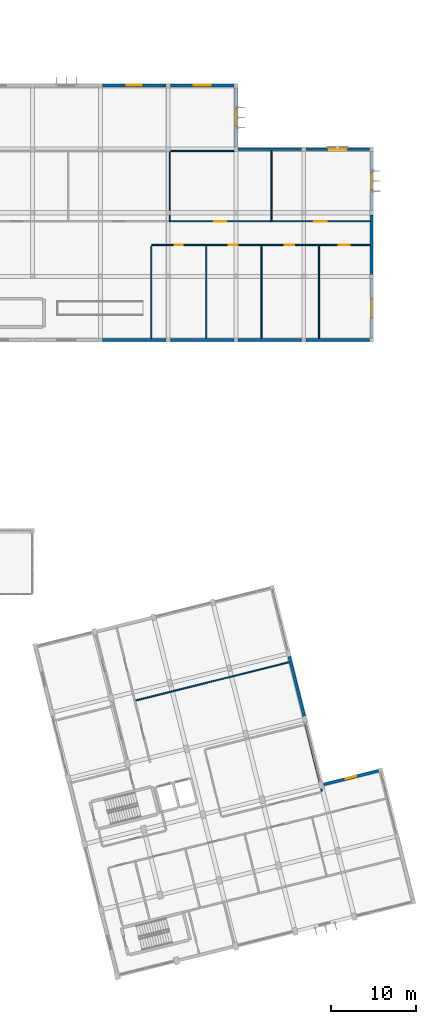
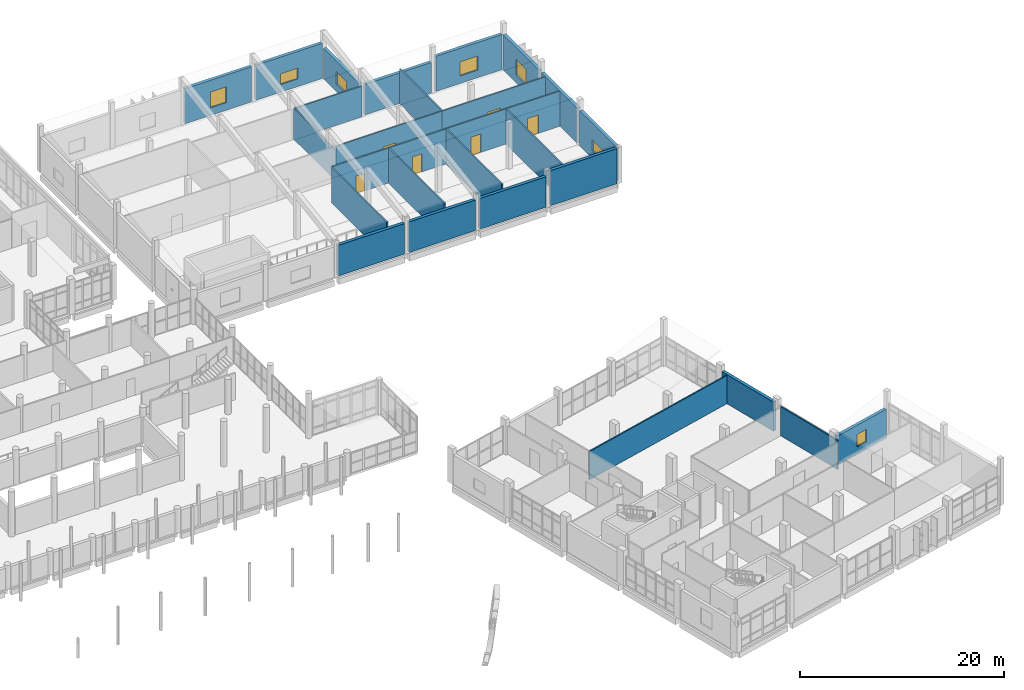
# One storey, part 149 of 164: 29 walls, 7 windows, 6 doors, 13 openings.
"""IFC4 building model written with IfcOpenShell, lengths in metres."""

from ifc_helpers import new_model, si_unit, direction, frame, frame_2d, origin, place, context, subcontext, project, spatial, rectangle, extrude, material, layer, layer_set, type_object, element, fill, save


model = new_model("IFC4")

# Units and contexts
model_context = context("Model", 3, precision=1e-05, world=origin(), true_north=direction((0.0, 1.0)))
body_context = subcontext(model_context, "Body", "Model", "MODEL_VIEW")
ifc_project = project(units=[si_unit("LENGTHUNIT", "METRE"), si_unit("AREAUNIT", "SQUARE_METRE"), si_unit("VOLUMEUNIT", "CUBIC_METRE"), si_unit("PLANEANGLEUNIT", "RADIAN"), si_unit("MASSUNIT", "GRAM", prefix="KILO")], contexts=[model_context])

# Site, building, storey
site_placement = place(None, origin())
site = spatial("IfcSite", under=ifc_project, at=site_placement, CompositionType="ELEMENT")
building_placement = place(site_placement, origin())
building = spatial("IfcBuilding", under=site, at=building_placement, Name="Mawjan Specialist Oncology Clinic", CompositionType="ELEMENT")
storey_placement = place(building_placement, frame((0.0, 0.0, 5.0)))
storey = spatial("IfcBuildingStorey", under=building, at=storey_placement, Name="L01", CompositionType="ELEMENT", Elevation=5.0)

# Wall, opening, window
ifc_material_1 = material(Name="Precast concrete C40/50", Category="concrete")
ifc_layer_1 = layer(ifc_material_1, 0.35009765625, Name="Precast concrete C40/50", Category="concrete")
ifc_layer_set_1 = layer_set([ifc_layer_1], Name="Precast concrete C40/50")
wall_type_1 = type_object("IfcWallType", Name="EW-350", PredefinedType="SOLIDWALL", material=ifc_layer_set_1)
wall_1_placement = place(storey_placement, frame((150.340576171875, 23.358642578125, 0.0), z_axis=(0.0, 0.0, 1.0), x_axis=(0.970299354279, 0.241907344009, 0.0)))
wall_1 = element("IfcWall", 1, at=wall_1_placement, inside=storey, type_object=wall_type_1, Name="L01 Coral-Limestone Exterior Wall EW-L01-073", PredefinedType="SOLIDWALL", context=body_context, shape_type="SweptSolid", body=[
    extrude(rectangle(XDim=6.675048828125, YDim=0.35009765625, at=frame_2d((3.33740234375, 0.0))), origin(), (0.0, 0.0, 1.0), 3.485107421875),
])
opening_1_placement = place(wall_1_placement, frame((2.71240234375, 0.0, 0.89990234375)))
opening_1 = element("IfcOpeningElement", 2, at=opening_1_placement, cuts=wall_1, Name="Opening WN-10", PredefinedType="OPENING", context=body_context, shape_type="SweptSolid", body=[
    extrude(rectangle(XDim=1.25, YDim=1.5, at=frame_2d((0.625, 0.75))), frame((0.0, 0.18701171875, 0.0), z_axis=(0.0, -1.0, 0.0), x_axis=(1.0, 0.0, 0.0)), (0.0, 0.0, 1.0), 0.3740234375),
])
ifc_material_2 = material(Name="Thermally broken low-E clinical aluminium window", Category="aluminium")
window_type_1 = type_object("IfcWindowType", Name="WN-10", PartitioningType="SINGLE_PANEL", PredefinedType="WINDOW", material=ifc_material_2)
window_1_placement = place(opening_1_placement, origin())
window_1 = element("IfcWindow", 3, at=window_1_placement, inside=storey, type_object=window_type_1, Name="L01 Clinical Low-E Window 010", OverallHeight=1.5, OverallWidth=1.25, PartitioningType="SINGLE_PANEL", PredefinedType="WINDOW", context=body_context, shape_type="SweptSolid", body=[
    extrude(rectangle(XDim=1.25, YDim=1.5, at=frame_2d((0.625, 0.75))), frame((0.0, 0.030029296875, 0.0), z_axis=(0.0, -1.0, 0.0), x_axis=(1.0, 0.0, 0.0)), (0.0, 0.0, 1.0), 0.06005859375),
])
fill(opening_1, window_1)

# Wall
wall_2_placement = place(storey_placement, frame((146.293701171875, 38.452880859375, 0.0), z_axis=(0.0, 0.0, 1.0), x_axis=(0.241917549853, -0.970296809782, 0.0)))
element("IfcWall", 4, at=wall_2_placement, inside=storey, type_object=wall_type_1, Name="L01 Coral-Limestone Exterior Wall EW-L01-081", PredefinedType="SOLIDWALL", context=body_context, shape_type="SweptSolid", body=[
    extrude(rectangle(XDim=7.25, YDim=0.35009765625, at=frame_2d((3.625, 0.0))), origin(), (0.0, 0.0, 1.0), 3.485107421875),
])

# Wall, opening, window
wall_3_placement = place(storey_placement, frame((124.25, 105.800048828125, 0.0), z_axis=(0.0, 0.0, 1.0), x_axis=(1.0, 0.0, 0.0)))
wall_3 = element("IfcWall", 5, at=wall_3_placement, inside=storey, type_object=wall_type_1, Name="L01 Coral-Limestone Exterior Wall EW-L01-136", PredefinedType="SOLIDWALL", context=body_context, shape_type="SweptSolid", body=[
    extrude(rectangle(XDim=7.5, YDim=0.35009765625, at=frame_2d((3.75, 0.0))), origin(), (0.0, 0.0, 1.0), 4.199951171875),
])
opening_2_placement = place(wall_3_placement, frame((2.85009765625, 0.0, 0.89990234375)))
opening_2 = element("IfcOpeningElement", 6, at=opening_2_placement, cuts=wall_3, Name="Opening WN-24", PredefinedType="OPENING", context=body_context, shape_type="SweptSolid", body=[
    extrude(rectangle(XDim=1.800048828125, YDim=1.89990234375, at=frame_2d((0.89990234375, 0.949951171875))), frame((0.0, 0.18701171875, 0.0), z_axis=(0.0, -1.0, 0.0), x_axis=(1.0, 0.0, 0.0)), (0.0, 0.0, 1.0), 0.3740234375),
])
ifc_material_3 = material(Name="Thermally broken low-E clinical aluminium window", Category="aluminium")
window_type_2 = type_object("IfcWindowType", Name="WN-24", PartitioningType="DOUBLE_PANEL_VERTICAL", PredefinedType="WINDOW", material=ifc_material_3)
window_2_placement = place(opening_2_placement, origin())
window_2 = element("IfcWindow", 7, at=window_2_placement, inside=storey, type_object=window_type_2, Name="L01 Clinical Low-E Window 024", OverallHeight=1.89990234375, OverallWidth=1.800048828125, PartitioningType="DOUBLE_PANEL_VERTICAL", PredefinedType="WINDOW", context=body_context, shape_type="SweptSolid", body=[
    extrude(rectangle(XDim=1.800048828125, YDim=1.89990234375, at=frame_2d((0.89990234375, 0.949951171875))), frame((0.0, 0.030029296875, 0.0), z_axis=(0.0, -1.0, 0.0), x_axis=(1.0, 0.0, 0.0)), (0.0, 0.0, 1.0), 0.06005859375),
])
fill(opening_2, window_2)

wall_4_placement = place(storey_placement, frame((132.25, 105.800048828125, 0.0), z_axis=(0.0, 0.0, 1.0), x_axis=(1.0, 0.0, 0.0)))
wall_4 = element("IfcWall", 8, at=wall_4_placement, inside=storey, type_object=wall_type_1, Name="L01 Coral-Limestone Exterior Wall EW-L01-137", PredefinedType="SOLIDWALL", context=body_context, shape_type="SweptSolid", body=[
    extrude(rectangle(XDim=7.5, YDim=0.35009765625, at=frame_2d((3.75, 0.0))), origin(), (0.0, 0.0, 1.0), 4.199951171875),
])
opening_3_placement = place(wall_4_placement, frame((2.75, 0.0, 0.89990234375)))
opening_3 = element("IfcOpeningElement", 9, at=opening_3_placement, cuts=wall_4, Name="Opening WN-25", PredefinedType="OPENING", context=body_context, shape_type="SweptSolid", body=[
    extrude(rectangle(XDim=2.0, YDim=1.300048828125, at=frame_2d((1.0, 0.64990234375))), frame((0.0, 0.18701171875, 0.0), z_axis=(0.0, -1.0, 0.0), x_axis=(1.0, 0.0, 0.0)), (0.0, 0.0, 1.0), 0.3740234375),
])
ifc_material_4 = material(Name="Thermally broken low-E clinical aluminium window", Category="aluminium")
window_type_3 = type_object("IfcWindowType", Name="WN-25", PartitioningType="DOUBLE_PANEL_VERTICAL", PredefinedType="WINDOW", material=ifc_material_4)
window_3_placement = place(opening_3_placement, origin())
window_3 = element("IfcWindow", 10, at=window_3_placement, inside=storey, type_object=window_type_3, Name="L01 Clinical Low-E Window 025", OverallHeight=1.300048828125, OverallWidth=2.0, PartitioningType="DOUBLE_PANEL_VERTICAL", PredefinedType="WINDOW", context=body_context, shape_type="SweptSolid", body=[
    extrude(rectangle(XDim=2.0, YDim=1.300048828125, at=frame_2d((1.0, 0.64990234375))), frame((0.0, 0.030029296875, 0.0), z_axis=(0.0, -1.0, 0.0), x_axis=(1.0, 0.0, 0.0)), (0.0, 0.0, 1.0), 0.06005859375),
])
fill(opening_3, window_3)

wall_5_placement = place(storey_placement, frame((140.0, 105.550048828125, 0.0), z_axis=(0.0, 0.0, 1.0), x_axis=(0.0, -1.0, 0.0)))
wall_5 = element("IfcWall", 11, at=wall_5_placement, inside=storey, type_object=wall_type_1, Name="L01 Coral-Limestone Exterior Wall EW-L01-138", PredefinedType="SOLIDWALL", context=body_context, shape_type="SweptSolid", body=[
    extrude(rectangle(XDim=7.0, YDim=0.35009765625, at=frame_2d((3.5, 0.0))), origin(), (0.0, 0.0, 1.0), 3.655029296875),
])
opening_4_placement = place(wall_5_placement, frame((2.5, 0.0, 0.89990234375)))
opening_4 = element("IfcOpeningElement", 12, at=opening_4_placement, cuts=wall_5, Name="Opening WN-26", PredefinedType="OPENING", context=body_context, shape_type="SweptSolid", body=[
    extrude(rectangle(XDim=2.0, YDim=1.5, at=frame_2d((1.0, 0.75))), frame((0.0, 0.18701171875, 0.0), z_axis=(0.0, -1.0, 0.0), x_axis=(1.0, 0.0, 0.0)), (0.0, 0.0, 1.0), 0.3740234375),
])
ifc_material_5 = material(Name="Thermally broken low-E clinical aluminium window", Category="aluminium")
window_type_4 = type_object("IfcWindowType", Name="WN-26", PartitioningType="DOUBLE_PANEL_VERTICAL", PredefinedType="WINDOW", material=ifc_material_5)
window_4_placement = place(opening_4_placement, origin())
window_4 = element("IfcWindow", 13, at=window_4_placement, inside=storey, type_object=window_type_4, Name="L01 Clinical Low-E Window 026", OverallHeight=1.5, OverallWidth=2.0, PartitioningType="DOUBLE_PANEL_VERTICAL", PredefinedType="WINDOW", context=body_context, shape_type="SweptSolid", body=[
    extrude(rectangle(XDim=2.0, YDim=1.5, at=frame_2d((1.0, 0.75))), frame((0.0, 0.030029296875, 0.0), z_axis=(0.0, -1.0, 0.0), x_axis=(1.0, 0.0, 0.0)), (0.0, 0.0, 1.0), 0.06005859375),
])
fill(opening_4, window_4)

# Wall
wall_6_placement = place(storey_placement, frame((140.25, 98.300048828125, 0.0), z_axis=(0.0, 0.0, 1.0), x_axis=(1.0, 0.0, 0.0)))
element("IfcWall", 14, at=wall_6_placement, inside=storey, type_object=wall_type_1, Name="L01 Coral-Limestone Exterior Wall EW-L01-139", PredefinedType="SOLIDWALL", context=body_context, shape_type="SweptSolid", body=[
    extrude(rectangle(XDim=7.5, YDim=0.35009765625, at=frame_2d((3.75, 0.0))), origin(), (0.0, 0.0, 1.0), 3.655029296875),
])

# Wall, opening, window
wall_7_placement = place(storey_placement, frame((148.25, 98.300048828125, 0.0), z_axis=(0.0, 0.0, 1.0), x_axis=(1.0, 0.0, 0.0)))
wall_7 = element("IfcWall", 15, at=wall_7_placement, inside=storey, type_object=wall_type_1, Name="L01 Coral-Limestone Exterior Wall EW-L01-140", PredefinedType="SOLIDWALL", context=body_context, shape_type="SweptSolid", body=[
    extrude(rectangle(XDim=7.5, YDim=0.35009765625, at=frame_2d((3.75, 0.0))), origin(), (0.0, 0.0, 1.0), 4.199951171875),
])
opening_5_placement = place(wall_7_placement, frame((2.75, 0.0, 0.89990234375)))
opening_5 = element("IfcOpeningElement", 16, at=opening_5_placement, cuts=wall_7, Name="Opening WN-27", PredefinedType="OPENING", context=body_context, shape_type="SweptSolid", body=[
    extrude(rectangle(XDim=2.0, YDim=1.699951171875, at=frame_2d((1.0, 0.85009765625))), frame((0.0, 0.18701171875, 0.0), z_axis=(0.0, -1.0, 0.0), x_axis=(1.0, 0.0, 0.0)), (0.0, 0.0, 1.0), 0.3740234375),
])
ifc_material_6 = material(Name="Thermally broken low-E clinical aluminium window", Category="aluminium")
window_type_5 = type_object("IfcWindowType", Name="WN-27", PartitioningType="DOUBLE_PANEL_VERTICAL", PredefinedType="WINDOW", material=ifc_material_6)
window_5_placement = place(opening_5_placement, origin())
window_5 = element("IfcWindow", 17, at=window_5_placement, inside=storey, type_object=window_type_5, Name="L01 Clinical Low-E Window 027", OverallHeight=1.699951171875, OverallWidth=2.0, PartitioningType="DOUBLE_PANEL_VERTICAL", PredefinedType="WINDOW", context=body_context, shape_type="SweptSolid", body=[
    extrude(rectangle(XDim=2.0, YDim=1.699951171875, at=frame_2d((1.0, 0.85009765625))), frame((0.0, 0.030029296875, 0.0), z_axis=(0.0, -1.0, 0.0), x_axis=(1.0, 0.0, 0.0)), (0.0, 0.0, 1.0), 0.06005859375),
])
fill(opening_5, window_5)

wall_8_placement = place(storey_placement, frame((156.0, 98.050048828125, 0.0), z_axis=(0.0, 0.0, 1.0), x_axis=(0.0, -1.0, 0.0)))
wall_8 = element("IfcWall", 18, at=wall_8_placement, inside=storey, type_object=wall_type_1, Name="L01 Coral-Limestone Exterior Wall EW-L01-141", PredefinedType="SOLIDWALL", context=body_context, shape_type="SweptSolid", body=[
    extrude(rectangle(XDim=7.0, YDim=0.35009765625, at=frame_2d((3.5, 0.0))), origin(), (0.0, 0.0, 1.0), 4.199951171875),
])
opening_6_placement = place(wall_8_placement, frame((2.5, 0.0, 0.89990234375)))
opening_6 = element("IfcOpeningElement", 19, at=opening_6_placement, cuts=wall_8, Name="Opening WN-28", PredefinedType="OPENING", context=body_context, shape_type="SweptSolid", body=[
    extrude(rectangle(XDim=2.0, YDim=1.89990234375, at=frame_2d((1.0, 0.949951171875))), frame((0.0, 0.18701171875, 0.0), z_axis=(0.0, -1.0, 0.0), x_axis=(1.0, 0.0, 0.0)), (0.0, 0.0, 1.0), 0.3740234375),
])
ifc_material_7 = material(Name="Thermally broken low-E clinical aluminium window", Category="aluminium")
window_type_6 = type_object("IfcWindowType", Name="WN-28", PartitioningType="DOUBLE_PANEL_VERTICAL", PredefinedType="WINDOW", material=ifc_material_7)
window_6_placement = place(opening_6_placement, origin())
window_6 = element("IfcWindow", 20, at=window_6_placement, inside=storey, type_object=window_type_6, Name="L01 Clinical Low-E Window 028", OverallHeight=1.89990234375, OverallWidth=2.0, PartitioningType="DOUBLE_PANEL_VERTICAL", PredefinedType="WINDOW", context=body_context, shape_type="SweptSolid", body=[
    extrude(rectangle(XDim=2.0, YDim=1.89990234375, at=frame_2d((1.0, 0.949951171875))), frame((0.0, 0.030029296875, 0.0), z_axis=(0.0, -1.0, 0.0), x_axis=(1.0, 0.0, 0.0)), (0.0, 0.0, 1.0), 0.06005859375),
])
fill(opening_6, window_6)

# Wall
wall_9_placement = place(storey_placement, frame((156.0, 90.550048828125, 0.0), z_axis=(0.0, 0.0, 1.0), x_axis=(0.0, -1.0, 0.0)))
element("IfcWall", 21, at=wall_9_placement, inside=storey, type_object=wall_type_1, Name="L01 Coral-Limestone Exterior Wall EW-L01-142", PredefinedType="SOLIDWALL", context=body_context, shape_type="SweptSolid", body=[
    extrude(rectangle(XDim=7.0, YDim=0.35009765625, at=frame_2d((3.5, 0.0))), origin(), (0.0, 0.0, 1.0), 4.199951171875),
])

# Wall, opening, window
wall_10_placement = place(storey_placement, frame((156.0, 83.050048828125, 0.0), z_axis=(0.0, 0.0, 1.0), x_axis=(0.0, -1.0, 0.0)))
wall_10 = element("IfcWall", 22, at=wall_10_placement, inside=storey, type_object=wall_type_1, Name="L01 Coral-Limestone Exterior Wall EW-L01-143", PredefinedType="SOLIDWALL", context=body_context, shape_type="SweptSolid", body=[
    extrude(rectangle(XDim=7.0, YDim=0.35009765625, at=frame_2d((3.5, 0.0))), origin(), (0.0, 0.0, 1.0), 4.199951171875),
])
opening_7_placement = place(wall_10_placement, frame((2.39990234375, 0.0, 0.89990234375)))
opening_7 = element("IfcOpeningElement", 23, at=opening_7_placement, cuts=wall_10, Name="Opening WN-29", PredefinedType="OPENING", context=body_context, shape_type="SweptSolid", body=[
    extrude(rectangle(XDim=2.199951171875, YDim=1.300048828125, at=frame_2d((1.10009765625, 0.64990234375))), frame((0.0, 0.18701171875, 0.0), z_axis=(0.0, -1.0, 0.0), x_axis=(1.0, 0.0, 0.0)), (0.0, 0.0, 1.0), 0.3740234375),
])
ifc_material_8 = material(Name="Thermally broken low-E clinical aluminium window", Category="aluminium")
window_type_7 = type_object("IfcWindowType", Name="WN-29", PartitioningType="DOUBLE_PANEL_VERTICAL", PredefinedType="WINDOW", material=ifc_material_8)
window_7_placement = place(opening_7_placement, origin())
window_7 = element("IfcWindow", 24, at=window_7_placement, inside=storey, type_object=window_type_7, Name="L01 Clinical Low-E Window 029", OverallHeight=1.300048828125, OverallWidth=2.199951171875, PartitioningType="DOUBLE_PANEL_VERTICAL", PredefinedType="WINDOW", context=body_context, shape_type="SweptSolid", body=[
    extrude(rectangle(XDim=2.199951171875, YDim=1.300048828125, at=frame_2d((1.10009765625, 0.64990234375))), frame((0.0, 0.030029296875, 0.0), z_axis=(0.0, -1.0, 0.0), x_axis=(1.0, 0.0, 0.0)), (0.0, 0.0, 1.0), 0.06005859375),
])
fill(opening_7, window_7)

# Walls
wall_11_placement = place(storey_placement, frame((155.75, 75.800048828125, 0.0), z_axis=(0.0, 0.0, 1.0), x_axis=(-1.0, 0.0, 0.0)))
element("IfcWall", 25, at=wall_11_placement, inside=storey, type_object=wall_type_1, Name="L01 Coral-Limestone Exterior Wall EW-L01-144", PredefinedType="SOLIDWALL", context=body_context, shape_type="SweptSolid", body=[
    extrude(rectangle(XDim=7.5, YDim=0.35009765625, at=frame_2d((3.75, 0.0))), origin(), (0.0, 0.0, 1.0), 4.199951171875),
])
for number, where, z_axis, x_axis, name in (
    (26, (147.75, 75.800048828125, 0.0), (0.0, 0.0, 1.0), (-1.0, 0.0, 0.0), "L01 Coral-Limestone Exterior Wall EW-L01-145"),
    (27, (139.75, 75.800048828125, 0.0), (0.0, 0.0, 1.0), (-1.0, 0.0, 0.0), "L01 Coral-Limestone Exterior Wall EW-L01-146"),
    (28, (131.75, 75.800048828125, 0.0), (0.0, 0.0, 1.0), (-1.0, 0.0, 0.0), "L01 Coral-Limestone Exterior Wall EW-L01-147"),
):
    element("IfcWall", number, at=place(storey_placement, frame(where, z_axis=z_axis, x_axis=x_axis)), inside=storey, type_object=wall_type_1, Name=name, PredefinedType="SOLIDWALL", context=body_context, shape_type="SweptSolid", body=[
        extrude(rectangle(XDim=7.5, YDim=0.35009765625, at=frame_2d((3.75, 0.0))), origin(), (0.0, 0.0, 1.0), 3.655029296875),
    ])
ifc_material_9 = material(Name="Moisture-resistant washroom partition", Category="gypsum")
ifc_layer_2 = layer(ifc_material_9, 0.125, Name="Moisture-resistant washroom partition", Category="gypsum")
ifc_layer_set_2 = layer_set([ifc_layer_2], Name="Moisture-resistant washroom partition")
wall_type_2 = type_object("IfcWallType", Name="WP-125", PredefinedType="PARTITIONING", material=ifc_layer_set_2)
wall_12_placement = place(storey_placement, frame((132.199951171875, 89.886962890625, 0.0), z_axis=(0.0, 0.0, 1.0), x_axis=(0.0, 1.0, 0.0)))
element("IfcWall", 29, at=wall_12_placement, inside=storey, type_object=wall_type_2, Name="L01 Interior Partition W-INT-L01-I16-D", PredefinedType="PARTITIONING", context=body_context, shape_type="SweptSolid", body=[
    extrude(rectangle(XDim=8.151123046875, YDim=0.125, at=frame_2d((4.07568359375, 0.0))), origin(), (0.0, 0.0, 1.0), 3.655029296875),
])

# Wall, opening, door
ifc_material_10 = material(Name="Acoustic gypsum clinical partition", Category="gypsum")
ifc_layer_3 = layer(ifc_material_10, 0.14990234375, Name="Acoustic gypsum clinical partition", Category="gypsum")
ifc_layer_set_3 = layer_set([ifc_layer_3], Name="Acoustic gypsum clinical partition")
wall_type_3 = type_object("IfcWallType", Name="WP-150", PredefinedType="PARTITIONING", material=ifc_layer_set_3)
wall_13_placement = place(storey_placement, frame((142.927001953125, 87.0, 0.0), z_axis=(0.0, 0.0, 1.0), x_axis=(1.0, 0.0, 0.0)))
wall_13 = element("IfcWall", 30, at=wall_13_placement, inside=storey, type_object=wall_type_3, Name="L01 Interior Partition W-INT-L01-I13-C", PredefinedType="PARTITIONING", context=body_context, shape_type="SweptSolid", body=[
    extrude(rectangle(XDim=6.7880859375, YDim=0.14990234375, at=frame_2d((3.39404296875, 0.0))), origin(), (0.0, 0.0, 1.0), 4.199951171875),
])
opening_8_placement = place(wall_13_placement, frame((2.833984375, 0.0, 0.0)))
opening_8 = element("IfcOpeningElement", 31, at=opening_8_placement, cuts=wall_13, Name="Opening DI-112", PredefinedType="OPENING", context=body_context, shape_type="SweptSolid", body=[
    extrude(rectangle(XDim=1.1201171875, YDim=2.199951171875, at=frame_2d((0.56005859375, 1.10009765625))), frame((0.0, 0.0869140625, 0.0), z_axis=(0.0, -1.0, 0.0), x_axis=(1.0, 0.0, 0.0)), (0.0, 0.0, 1.0), 0.173828125),
])
ifc_material_11 = material(Name="Acoustic laminate hospital door leaf", Category="wood")
door_type_1 = type_object("IfcDoorType", Name="DI-112", OperationType="NOTDEFINED", PredefinedType="DOOR", material=ifc_material_11)
door_1_placement = place(opening_8_placement, origin())
door_1 = element("IfcDoor", 32, at=door_1_placement, inside=storey, type_object=door_type_1, Name="L01 Stereotactic Biopsy Treatment Room Door", OperationType="SINGLE_SWING_LEFT", OverallHeight=2.199951171875, OverallWidth=1.1201171875, PredefinedType="DOOR", context=body_context, shape_type="SweptSolid", body=[
    extrude(rectangle(XDim=1.1201171875, YDim=2.199951171875, at=frame_2d((0.56005859375, 1.10009765625))), frame((0.0, 0.02490234375, 0.0), z_axis=(0.0, -1.0, 0.0), x_axis=(1.0, 0.0, 0.0)), (0.0, 0.0, 1.0), 0.050048828125),
])
fill(opening_8, door_1)

wall_14_placement = place(storey_placement, frame((149.72705078125, 87.0, 0.0), z_axis=(0.0, 0.0, 1.0), x_axis=(1.0, 0.0, 0.0)))
wall_14 = element("IfcWall", 33, at=wall_14_placement, inside=storey, type_object=wall_type_3, Name="L01 Interior Partition W-INT-L01-I14-C", PredefinedType="PARTITIONING", context=body_context, shape_type="SweptSolid", body=[
    extrude(rectangle(XDim=6.0859375, YDim=0.14990234375, at=frame_2d((3.04296875, 0.0))), origin(), (0.0, 0.0, 1.0), 4.199951171875),
])
opening_9_placement = place(wall_14_placement, frame((2.423095703125, 0.0, 0.0)))
opening_9 = element("IfcOpeningElement", 34, at=opening_9_placement, cuts=wall_14, Name="Opening DC-124", PredefinedType="OPENING", context=body_context, shape_type="SweptSolid", body=[
    extrude(rectangle(XDim=1.239990234375, YDim=2.199951171875, at=frame_2d((0.6201171875, 1.10009765625))), frame((0.0, 0.0869140625, 0.0), z_axis=(0.0, -1.0, 0.0), x_axis=(1.0, 0.0, 0.0)), (0.0, 0.0, 1.0), 0.173828125),
])
ifc_material_12 = material(Name="Acoustic laminate hospital door leaf", Category="wood")
door_type_2 = type_object("IfcDoorType", Name="DC-124", OperationType="NOTDEFINED", PredefinedType="DOOR", material=ifc_material_12)
door_2_placement = place(opening_9_placement, origin())
door_2 = element("IfcDoor", 35, at=door_2_placement, inside=storey, type_object=door_type_2, Name="L01 Accessible Patient Washroom Door", OperationType="SINGLE_SWING_RIGHT", OverallHeight=2.199951171875, OverallWidth=1.239990234375, PredefinedType="DOOR", context=body_context, shape_type="SweptSolid", body=[
    extrude(rectangle(XDim=1.239990234375, YDim=2.199951171875, at=frame_2d((0.6201171875, 1.10009765625))), frame((0.0, 0.02490234375, 0.0), z_axis=(0.0, -1.0, 0.0), x_axis=(1.0, 0.0, 0.0)), (0.0, 0.0, 1.0), 0.050048828125),
])
fill(opening_9, door_2)

wall_15_placement = place(storey_placement, frame((132.126953125, 89.800048828125, 0.0), z_axis=(0.0, 0.0, 1.0), x_axis=(1.0, 0.0, 0.0)))
wall_15 = element("IfcWall", 36, at=wall_15_placement, inside=storey, type_object=wall_type_3, Name="L01 Interior Partition W-INT-L01-I17-C", PredefinedType="PARTITIONING", context=body_context, shape_type="SweptSolid", body=[
    extrude(rectangle(XDim=11.988037109375, YDim=0.14990234375, at=frame_2d((5.994140625, 0.0))), origin(), (0.0, 0.0, 1.0), 4.199951171875),
])
opening_10_placement = place(wall_15_placement, frame((5.2939453125, 0.0, 0.0)))
opening_10 = element("IfcOpeningElement", 37, at=opening_10_placement, cuts=wall_15, Name="Opening DC-140", PredefinedType="OPENING", context=body_context, shape_type="SweptSolid", body=[
    extrude(rectangle(XDim=1.39990234375, YDim=2.25, at=frame_2d((0.699951171875, 1.125))), frame((0.0, 0.0869140625, 0.0), z_axis=(0.0, -1.0, 0.0), x_axis=(1.0, 0.0, 0.0)), (0.0, 0.0, 1.0), 0.173828125),
])
ifc_material_13 = material(Name="Acoustic laminate hospital door leaf", Category="wood")
door_type_3 = type_object("IfcDoorType", Name="DC-140", OperationType="NOTDEFINED", PredefinedType="DOOR", material=ifc_material_13)
door_3_placement = place(opening_10_placement, origin())
door_3 = element("IfcDoor", 38, at=door_3_placement, inside=storey, type_object=door_type_3, Name="L01 Interventional Imaging Recovery Bay Door", OperationType="SINGLE_SWING_LEFT", OverallHeight=2.25, OverallWidth=1.39990234375, PredefinedType="DOOR", context=body_context, shape_type="SweptSolid", body=[
    extrude(rectangle(XDim=1.39990234375, YDim=2.25, at=frame_2d((0.699951171875, 1.125))), frame((0.0, 0.02490234375, 0.0), z_axis=(0.0, -1.0, 0.0), x_axis=(1.0, 0.0, 0.0)), (0.0, 0.0, 1.0), 0.050048828125),
])
fill(opening_10, door_3)

wall_16_placement = place(storey_placement, frame((144.126953125, 89.800048828125, 0.0), z_axis=(0.0, 0.0, 1.0), x_axis=(1.0, 0.0, 0.0)))
wall_16 = element("IfcWall", 39, at=wall_16_placement, inside=storey, type_object=wall_type_3, Name="L01 Interior Partition W-INT-L01-I18-C", PredefinedType="PARTITIONING", context=body_context, shape_type="SweptSolid", body=[
    extrude(rectangle(XDim=11.68603515625, YDim=0.14990234375, at=frame_2d((5.843017578125, 0.0))), origin(), (0.0, 0.0, 1.0), 4.199951171875),
])
opening_11_placement = place(wall_16_placement, frame((5.117919921875, 0.0, 0.0)))
opening_11 = element("IfcOpeningElement", 40, at=opening_11_placement, cuts=wall_16, Name="Opening DC-145", PredefinedType="OPENING", context=body_context, shape_type="SweptSolid", body=[
    extrude(rectangle(XDim=1.449951171875, YDim=2.260009765625, at=frame_2d((0.72509765625, 1.1298828125))), frame((0.0, 0.0869140625, 0.0), z_axis=(0.0, -1.0, 0.0), x_axis=(1.0, 0.0, 0.0)), (0.0, 0.0, 1.0), 0.173828125),
])
ifc_material_14 = material(Name="Acoustic laminate hospital door leaf", Category="wood")
door_type_4 = type_object("IfcDoorType", Name="DC-145", OperationType="NOTDEFINED", PredefinedType="DOOR", material=ifc_material_14)
door_4_placement = place(opening_11_placement, origin())
door_4 = element("IfcDoor", 41, at=door_4_placement, inside=storey, type_object=door_type_4, Name="L01 Imaging Sub-Waiting Lounge Door", OperationType="SINGLE_SWING_RIGHT", OverallHeight=2.260009765625, OverallWidth=1.449951171875, PredefinedType="DOOR", context=body_context, shape_type="SweptSolid", body=[
    extrude(rectangle(XDim=1.449951171875, YDim=2.260009765625, at=frame_2d((0.72509765625, 1.1298828125))), frame((0.0, 0.02490234375, 0.0), z_axis=(0.0, -1.0, 0.0), x_axis=(1.0, 0.0, 0.0)), (0.0, 0.0, 1.0), 0.050048828125),
])
fill(opening_11, door_4)

# Walls
wall_17_placement = place(storey_placement, frame((130.0, 75.987060546875, 0.0), z_axis=(0.0, 0.0, 1.0), x_axis=(0.0, 1.0, 0.0)))
element("IfcWall", 42, at=wall_17_placement, inside=storey, type_object=wall_type_3, Name="L01 Interior Partition W-INT-L01-I11-D0", PredefinedType="PARTITIONING", context=body_context, shape_type="SweptSolid", body=[
    extrude(rectangle(XDim=10.847900390625, YDim=0.14990234375, at=frame_2d((5.423828125, 0.0))), origin(), (0.0, 0.0, 1.0), 4.199951171875),
])
wall_18_placement = place(storey_placement, frame((136.5, 75.987060546875, 0.0), z_axis=(0.0, 0.0, 1.0), x_axis=(0.0, 1.0, 0.0)))
element("IfcWall", 43, at=wall_18_placement, inside=storey, type_object=wall_type_3, Name="L01 Interior Partition W-INT-L01-I11-D", PredefinedType="PARTITIONING", context=body_context, shape_type="SweptSolid", body=[
    extrude(rectangle(XDim=10.9208984375, YDim=0.14990234375, at=frame_2d((5.46044921875, 0.0))), origin(), (0.0, 0.0, 1.0), 4.199951171875),
])
wall_19_placement = place(storey_placement, frame((143.0, 75.987060546875, 0.0), z_axis=(0.0, 0.0, 1.0), x_axis=(0.0, 1.0, 0.0)))
element("IfcWall", 44, at=wall_19_placement, inside=storey, type_object=wall_type_3, Name="L01 Interior Partition W-INT-L01-I12-D", PredefinedType="PARTITIONING", context=body_context, shape_type="SweptSolid", body=[
    extrude(rectangle(XDim=10.926025390625, YDim=0.14990234375, at=frame_2d((5.462890625, 0.0))), origin(), (0.0, 0.0, 1.0), 4.199951171875),
])
wall_20_placement = place(storey_placement, frame((144.199951171875, 89.886962890625, 0.0), z_axis=(0.0, 0.0, 1.0), x_axis=(0.0, 1.0, 0.0)))
element("IfcWall", 45, at=wall_20_placement, inside=storey, type_object=wall_type_3, Name="L01 Interior Partition W-INT-L01-I17-D", PredefinedType="PARTITIONING", context=body_context, shape_type="SweptSolid", body=[
    extrude(rectangle(XDim=8.22607421875, YDim=0.14990234375, at=frame_2d((4.113037109375, 0.0))), origin(), (0.0, 0.0, 1.0), 4.199951171875),
])
wall_21_placement = place(storey_placement, frame((150.13037109375, 22.5693359375, 0.0), z_axis=(0.0, 0.0, 1.0), x_axis=(-0.241919812841, 0.970296245564, 0.0)))
element("IfcWall", 46, at=wall_21_placement, inside=storey, type_object=wall_type_3, Name="L01 Interior Partition W-RINT-L01-RDE1-E", PredefinedType="PARTITIONING", context=body_context, shape_type="SweptSolid", body=[
    extrude(rectangle(XDim=8.02294921875, YDim=0.14990234375, at=frame_2d((4.011474609375, 0.0))), origin(), (0.0, 0.0, 1.0), 3.485107421875),
])
wall_22_placement = place(storey_placement, frame((128.14697265625, 33.264404296875, 0.0), z_axis=(0.0, 0.0, 1.0), x_axis=(0.970293031027, 0.241932705395, 0.0)))
element("IfcWall", 47, at=wall_22_placement, inside=storey, type_object=wall_type_3, Name="L01 Interior Partition W-RINT-L01-RNE1-N", PredefinedType="PARTITIONING", context=body_context, shape_type="SweptSolid", body=[
    extrude(rectangle(XDim=18.67578125, YDim=0.14990234375, at=frame_2d((9.337890625, 0.0))), origin(), (0.0, 0.0, 1.0), 3.385009765625),
])

# Wall, opening, door
ifc_material_15 = material(Name="Acoustic clinical twin-stud partition", Category="gypsum")
ifc_layer_4 = layer(ifc_material_15, 0.159912109375, Name="Acoustic clinical twin-stud partition", Category="gypsum")
ifc_layer_set_4 = layer_set([ifc_layer_4], Name="Acoustic clinical twin-stud partition")
wall_type_4 = type_object("IfcWallType", Name="WP-160", PredefinedType="PARTITIONING", material=ifc_layer_set_4)
wall_23_placement = place(storey_placement, frame((130.0849609375, 87.0, 0.0), z_axis=(0.0, 0.0, 1.0), x_axis=(1.0, 0.0, 0.0)))
wall_23 = element("IfcWall", 48, at=wall_23_placement, inside=storey, type_object=wall_type_4, Name="L01 Interior Partition W-INT-L01-I11-C", PredefinedType="PARTITIONING", context=body_context, shape_type="SweptSolid", body=[
    extrude(rectangle(XDim=6.330078125, YDim=0.159912109375, at=frame_2d((3.1650390625, 0.0))), origin(), (0.0, 0.0, 1.0), 4.175048828125),
])
opening_12_placement = place(wall_23_placement, frame((2.675048828125, 0.0, 0.0)))
opening_12 = element("IfcOpeningElement", 49, at=opening_12_placement, cuts=wall_23, Name="Opening DI-98", PredefinedType="OPENING", context=body_context, shape_type="SweptSolid", body=[
    extrude(rectangle(XDim=0.97998046875, YDim=2.1201171875, at=frame_2d((0.489990234375, 1.06005859375))), frame((0.0, 0.092041015625, 0.0), z_axis=(0.0, -1.0, 0.0), x_axis=(1.0, 0.0, 0.0)), (0.0, 0.0, 1.0), 0.183837890625),
])
ifc_material_16 = material(Name="Acoustic laminate hospital door leaf", Category="wood")
door_type_5 = type_object("IfcDoorType", Name="DI-98", OperationType="NOTDEFINED", PredefinedType="DOOR", material=ifc_material_16)
door_5_placement = place(opening_12_placement, origin())
door_5 = element("IfcDoor", 50, at=door_5_placement, inside=storey, type_object=door_type_5, Name="L01 Digital Mammography Imaging Suite Door", OperationType="SINGLE_SWING_LEFT", OverallHeight=2.1201171875, OverallWidth=0.97998046875, PredefinedType="DOOR", context=body_context, shape_type="SweptSolid", body=[
    extrude(rectangle(XDim=0.97998046875, YDim=2.1201171875, at=frame_2d((0.489990234375, 1.06005859375))), frame((0.0, 0.02490234375, 0.0), z_axis=(0.0, -1.0, 0.0), x_axis=(1.0, 0.0, 0.0)), (0.0, 0.0, 1.0), 0.050048828125),
])
fill(opening_12, door_5)

wall_24_placement = place(storey_placement, frame((136.427001953125, 87.0, 0.0), z_axis=(0.0, 0.0, 1.0), x_axis=(1.0, 0.0, 0.0)))
wall_24 = element("IfcWall", 51, at=wall_24_placement, inside=storey, type_object=wall_type_4, Name="L01 Interior Partition W-INT-L01-I12-C", PredefinedType="PARTITIONING", context=body_context, shape_type="SweptSolid", body=[
    extrude(rectangle(XDim=6.488037109375, YDim=0.159912109375, at=frame_2d((3.244140625, 0.0))), origin(), (0.0, 0.0, 1.0), 4.175048828125),
])
opening_13_placement = place(wall_24_placement, frame((2.7041015625, 0.0, 0.0)))
opening_13 = element("IfcOpeningElement", 52, at=opening_13_placement, cuts=wall_24, Name="Opening DI-108", PredefinedType="OPENING", context=body_context, shape_type="SweptSolid", body=[
    extrude(rectangle(XDim=1.080078125, YDim=2.179931640625, at=frame_2d((0.5400390625, 1.08984375))), frame((0.0, 0.092041015625, 0.0), z_axis=(0.0, -1.0, 0.0), x_axis=(1.0, 0.0, 0.0)), (0.0, 0.0, 1.0), 0.183837890625),
])
ifc_material_17 = material(Name="Acoustic laminate hospital door leaf", Category="wood")
door_type_6 = type_object("IfcDoorType", Name="DI-108", OperationType="NOTDEFINED", PredefinedType="DOOR", material=ifc_material_17)
door_6_placement = place(opening_13_placement, origin())
door_6 = element("IfcDoor", 53, at=door_6_placement, inside=storey, type_object=door_type_6, Name="L01 Targeted Ultrasound Diagnostic Room Door", OperationType="SINGLE_SWING_RIGHT", OverallHeight=2.179931640625, OverallWidth=1.080078125, PredefinedType="DOOR", context=body_context, shape_type="SweptSolid", body=[
    extrude(rectangle(XDim=1.080078125, YDim=2.179931640625, at=frame_2d((0.5400390625, 1.08984375))), frame((0.0, 0.02490234375, 0.0), z_axis=(0.0, -1.0, 0.0), x_axis=(1.0, 0.0, 0.0)), (0.0, 0.0, 1.0), 0.050048828125),
])
fill(opening_13, door_6)

# Walls
wall_25_placement = place(storey_placement, frame((132.261962890625, 98.10009765625, 0.0), z_axis=(0.0, 0.0, 1.0), x_axis=(1.0, 0.0, 0.0)))
element("IfcWall", 54, at=wall_25_placement, inside=storey, type_object=wall_type_4, Name="L01 Interior Partition W-INT-L01-I17-R", PredefinedType="PARTITIONING", context=body_context, shape_type="SweptSolid", body=[
    extrude(rectangle(XDim=7.603515625, YDim=0.159912109375, at=frame_2d((3.8017578125, 0.0))), origin(), (0.0, 0.0, 1.0), 3.655029296875),
])
wall_26_placement = place(storey_placement, frame((149.800048828125, 75.987060546875, 0.0), z_axis=(0.0, 0.0, 1.0), x_axis=(0.0, 1.0, 0.0)))
element("IfcWall", 55, at=wall_26_placement, inside=storey, type_object=wall_type_4, Name="L01 Interior Partition W-INT-L01-I13-D", PredefinedType="PARTITIONING", context=body_context, shape_type="SweptSolid", body=[
    extrude(rectangle(XDim=10.926025390625, YDim=0.159912109375, at=frame_2d((5.462890625, 0.0))), origin(), (0.0, 0.0, 1.0), 4.199951171875),
])

save(model, "model.ifc")
